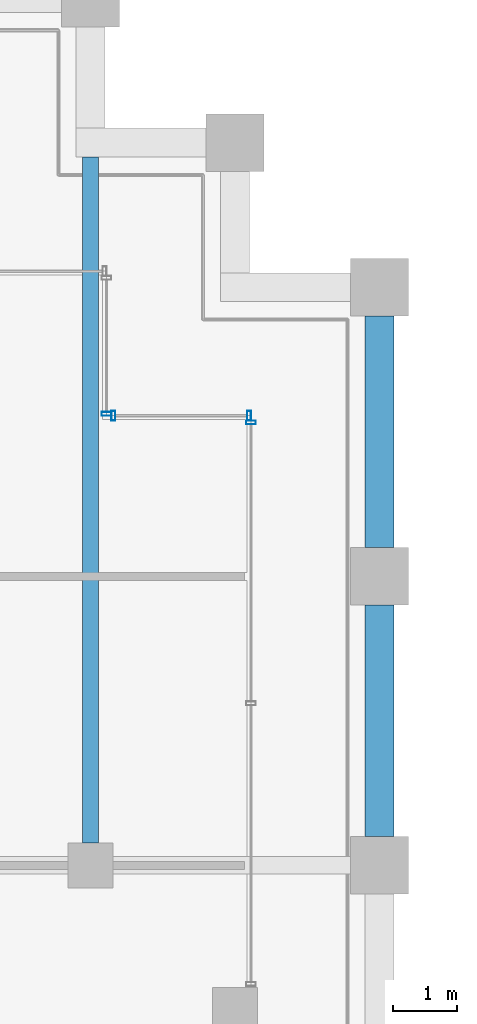
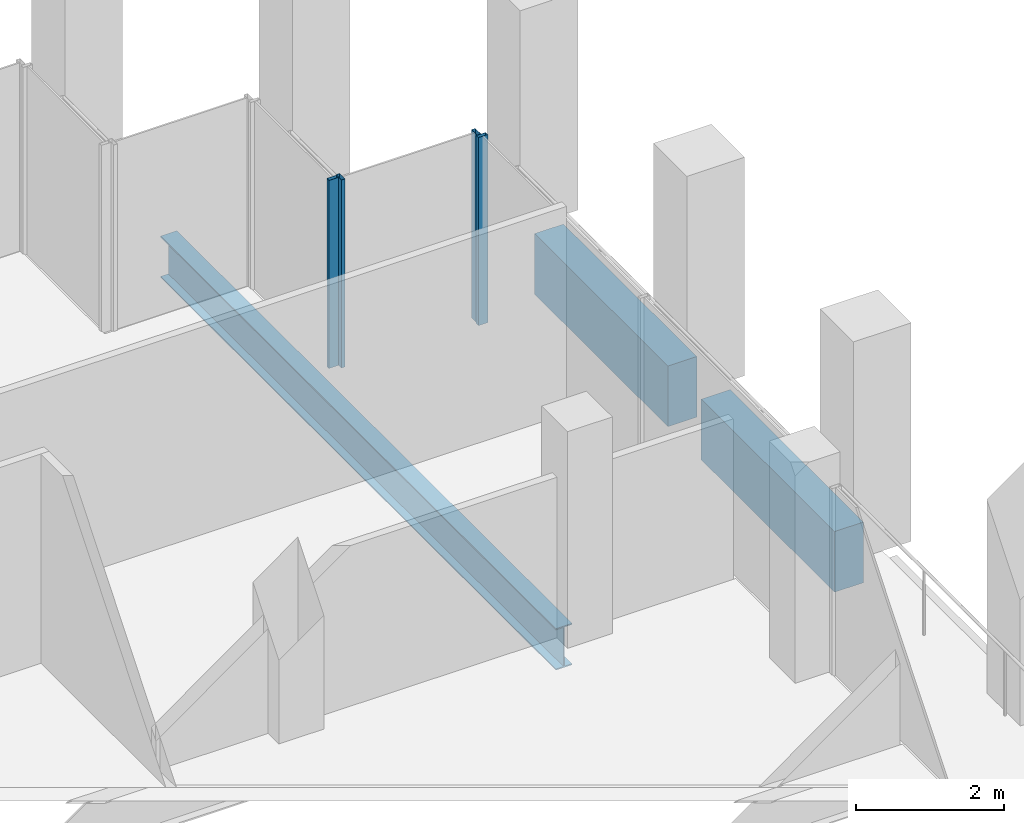
# One storey, part 25 of 40: 4 members, 3 beams, 3 elements without a shape of their own.
"""IFC4 building model written with IfcOpenShell, lengths in metres."""

from ifc_helpers import new_model, si_unit, direction, frame, origin, origin_2d, place, context, subcontext, project, spatial, rectangle, hollow_rectangle, i_section, extrude, material, material_profile, profile_set, type_object, element, aggregate, save


model = new_model("IFC4")

# Units and contexts
model_context = context("Model", 3, precision=1e-05, world=origin(), true_north=direction((0.0, 1.0)))
body_context = subcontext(model_context, "Body", "Model", "MODEL_VIEW")
ifc_project = project(units=[si_unit("LENGTHUNIT", "METRE"), si_unit("AREAUNIT", "SQUARE_METRE"), si_unit("VOLUMEUNIT", "CUBIC_METRE"), si_unit("PLANEANGLEUNIT", "RADIAN"), si_unit("MASSUNIT", "GRAM", prefix="KILO")], contexts=[model_context])

# Site, building, storey
site_placement = place(None, origin())
site = spatial("IfcSite", under=ifc_project, at=site_placement, CompositionType="ELEMENT")
building_placement = place(site_placement, origin())
building = spatial("IfcBuilding", under=site, at=building_placement, Name="Altepetl Exchange Towers", CompositionType="ELEMENT")
storey_placement = place(building_placement, frame((0.0, 0.0, 176.199951171875)))
storey = spatial("IfcBuildingStorey", under=building, at=storey_placement, Name="L44", CompositionType="ELEMENT", Elevation=176.199951171875)

# Beam
ifc_material_1 = material(Name="Steel S355", Category="steel")
ifc_material_profile_1 = material_profile(ifc_material_1, i_section(OverallWidth=0.25390625, OverallDepth=0.68408203125, WebThickness=0.012451171875, FlangeThickness=0.018798828125, at=origin_2d()), Name="W27X94")
ifc_profile_set_1 = profile_set([ifc_material_profile_1], Name="Steel S355")
beam_type_1 = type_object("IfcBeamType", Name="Floor beam W27X94", PredefinedType="BEAM", material=ifc_profile_set_1)
beam_placement = place(storey_placement, frame((67.5, 58.85009765625, -0.491943359375), z_axis=(0.0, 1.0, 0.0), x_axis=(-1.0, 0.0, 0.0)))
element("IfcBeam", 1, at=beam_placement, inside=storey, type_object=beam_type_1, Name="bm:A:L44:005", PredefinedType="BEAM", context=body_context, shape_type="SweptSolid", body=[
    extrude(i_section(OverallWidth=0.25390625, OverallDepth=0.68408203125, WebThickness=0.012451171875, FlangeThickness=0.018798828125, at=origin_2d()), origin(), (0.0, 0.0, 1.0), 10.6748046875),
])

# Curtain wall, member
ifc_material_2 = material(Name="Aluminium 6063-T6 glazing", Category="aluminium")
curtain_wall_type = type_object("IfcCurtainWallType", Name="Loggia glazing system", PredefinedType="NOTDEFINED", material=ifc_material_2)
curtain_wall_1_placement = place(storey_placement, origin())
curtain_wall_1 = element("IfcCurtainWall", 2, at=curtain_wall_1_placement, inside=storey, type_object=curtain_wall_type, Name="CW1 run", PredefinedType="NOTDEFINED")
ifc_material_3 = material(Name="Aluminium 6063-T6", Category="aluminium")
ifc_material_profile_2 = material_profile(ifc_material_3, hollow_rectangle(XDim=0.06005859375, YDim=0.14990234375, WallThickness=0.0029296875, at=origin_2d()), Name="Mullion 60x150 aluminium")
ifc_profile_set_2 = profile_set([ifc_material_profile_2], Name="Aluminium 6063-T6")
member_type = type_object("IfcMemberType", Name="Mullion 60x150 aluminium", PredefinedType="MULLION", material=ifc_profile_set_2)
member_1_placement = place(storey_placement, frame((70.0, 65.39501953125, 0.0), z_axis=(0.0, 0.0, 1.0), x_axis=(0.0, 1.0, 0.0)))
member_1 = element("IfcMember", 3, at=member_1_placement, type_object=member_type, Name="MU1 mullion", PredefinedType="MULLION", context=body_context, shape_type="SweptSolid", body=[
    extrude(hollow_rectangle(XDim=0.06005859375, YDim=0.14990234375, WallThickness=0.0029296875, at=origin_2d()), origin(), (0.0, 0.0, 1.0), 3.10009765625),
])
aggregate(curtain_wall_1, [member_1])

# Curtain wall, members
curtain_wall_2_placement = place(storey_placement, origin())
curtain_wall_2 = element("IfcCurtainWall", 4, at=curtain_wall_2_placement, inside=storey, type_object=curtain_wall_type, Name="CW1 run", PredefinedType="NOTDEFINED")
member_2_placement = place(storey_placement, frame((69.969970703125, 65.5, 0.0), z_axis=(0.0, 0.0, 1.0), x_axis=(-1.0, 0.0, 0.0)))
member_2 = element("IfcMember", 5, at=member_2_placement, type_object=member_type, Name="MU1 mullion", PredefinedType="MULLION", context=body_context, shape_type="SweptSolid", body=[
    extrude(hollow_rectangle(XDim=0.06005859375, YDim=0.14990234375, WallThickness=0.0029296875, at=origin_2d()), origin(), (0.0, 0.0, 1.0), 3.10009765625),
])
member_3_placement = place(storey_placement, frame((67.85498046875, 65.5, 0.0), z_axis=(0.0, 0.0, 1.0), x_axis=(-1.0, 0.0, 0.0)))
member_3 = element("IfcMember", 6, at=member_3_placement, type_object=member_type, Name="MU1 mullion", PredefinedType="MULLION", context=body_context, shape_type="SweptSolid", body=[
    extrude(hollow_rectangle(XDim=0.06005859375, YDim=0.14990234375, WallThickness=0.0029296875, at=origin_2d()), origin(), (0.0, 0.0, 1.0), 3.10009765625),
])
aggregate(curtain_wall_2, [member_2, member_3])

# Curtain wall, member
curtain_wall_3_placement = place(storey_placement, origin())
curtain_wall_3 = element("IfcCurtainWall", 7, at=curtain_wall_3_placement, inside=storey, type_object=curtain_wall_type, Name="CW1 run", PredefinedType="NOTDEFINED")
member_4_placement = place(storey_placement, frame((67.75, 65.530029296875, 0.0), z_axis=(0.0, 0.0, 1.0), x_axis=(0.0, 1.0, 0.0)))
member_4 = element("IfcMember", 8, at=member_4_placement, type_object=member_type, Name="MU1 mullion", PredefinedType="MULLION", context=body_context, shape_type="SweptSolid", body=[
    extrude(hollow_rectangle(XDim=0.06005859375, YDim=0.14990234375, WallThickness=0.0029296875, at=origin_2d()), origin(), (0.0, 0.0, 1.0), 3.10009765625),
])
aggregate(curtain_wall_3, [member_4])

# Beams
ifc_material_4 = material(Name="Concrete C50/60 precast with cantera rosa facing", Category="concrete")
ifc_material_profile_3 = material_profile(ifc_material_4, rectangle(XDim=0.449951171875, YDim=1.0, at=origin_2d()), Name="450 x 1000")
ifc_profile_set_3 = profile_set([ifc_material_profile_3], Name="Concrete C50/60 precast with cantera rosa facing")
beam_type_2 = type_object("IfcBeamType", Name="Spandrel beam 450x1000 cantera rosa", PredefinedType="SPANDREL", material=ifc_profile_set_3)
for number, where, z_axis, x_axis, name in (
    (9, (72.0, 58.949951171875, -0.64990234375), (0.0, 1.0, 0.0), (-1.0, 0.0, 0.0), "sp:A:L44:018"),
    (10, (72.0, 63.449951171875, -0.64990234375), (0.0, 1.0, 0.0), (-1.0, 0.0, 0.0), "sp:A:L44:019"),
):
    element("IfcBeam", number, at=place(storey_placement, frame(where, z_axis=z_axis, x_axis=x_axis)), inside=storey, type_object=beam_type_2, Name=name, PredefinedType="SPANDREL", context=body_context, shape_type="SweptSolid", body=[
        extrude(rectangle(XDim=0.449951171875, YDim=1.0, at=origin_2d()), origin(), (0.0, 0.0, 1.0), 3.60009765625),
    ])

save(model, "model.ifc")
